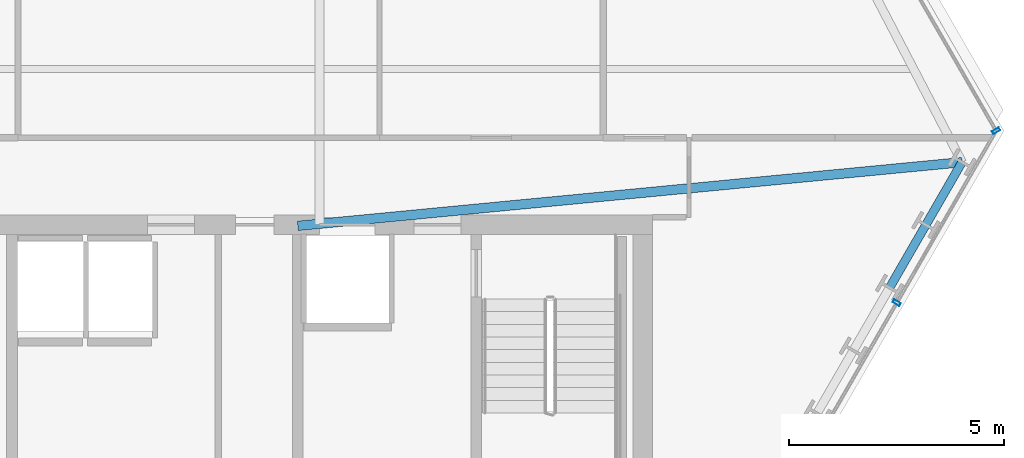
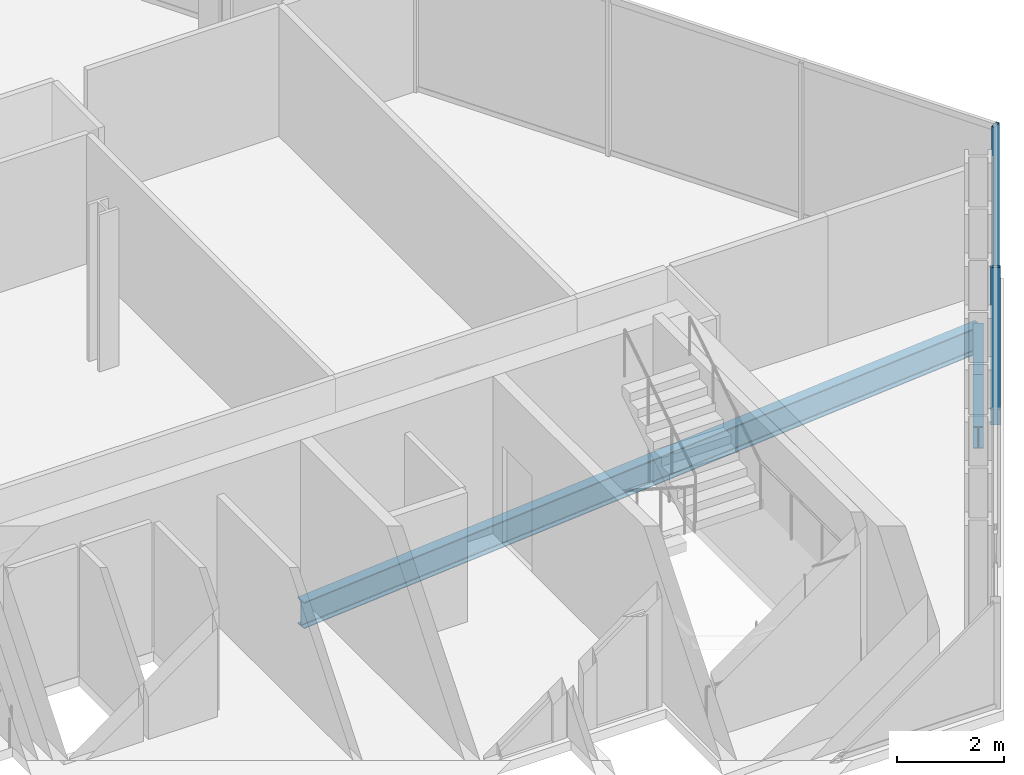
# One storey, part 18 of 32: 3 beams, 2 members, 2 elements without a shape of their own.
"""IFC4 building model written with IfcOpenShell, lengths in metres."""

from ifc_helpers import new_model, si_unit, direction, frame, origin, origin_2d, place, context, subcontext, project, spatial, hollow_rectangle, i_section, extrude, material, layer, layer_set, material_profile, profile_set, type_object, element, aggregate, save


model = new_model("IFC4")

# Units and contexts
model_context = context("Model", 3, precision=1e-05, world=origin(), true_north=direction((0.0, 1.0)))
body_context = subcontext(model_context, "Body", "Model", "MODEL_VIEW")
ifc_project = project(units=[si_unit("LENGTHUNIT", "METRE"), si_unit("AREAUNIT", "SQUARE_METRE"), si_unit("VOLUMEUNIT", "CUBIC_METRE"), si_unit("PLANEANGLEUNIT", "RADIAN"), si_unit("MASSUNIT", "GRAM", prefix="KILO")], contexts=[model_context])

# Site, building, storey
site_placement = place(None, origin())
site = spatial("IfcSite", under=ifc_project, at=site_placement, CompositionType="ELEMENT")
building_placement = place(site_placement, origin())
building = spatial("IfcBuilding", under=site, at=building_placement, Name="Ndaravel Arena Tower", CompositionType="ELEMENT")
storey_placement = place(building_placement, frame((0.0, 0.0, 93.0)))
storey = spatial("IfcBuildingStorey", under=building, at=storey_placement, Name="L21", CompositionType="ELEMENT", Elevation=93.0)

# Beams
ifc_material_1 = material(Name="Steel S355", Category="steel")
ifc_material_profile_1 = material_profile(ifc_material_1, i_section(OverallWidth=0.219970703125, OverallDepth=0.60009765625, WebThickness=0.011962890625, FlangeThickness=0.01904296875, FilletRadius=0.02392578125, at=origin_2d()), Name="IPE 600")
ifc_profile_set_1 = profile_set([ifc_material_profile_1], Name="Steel S355")
beam_type_1 = type_object("IfcBeamType", Name="BM-GIRD-IPE600", PredefinedType="BEAM", material=ifc_profile_set_1)
beam_1_placement = place(storey_placement, frame((64.75, 16.4306640625, -0.52001953125), z_axis=(-0.995438809461, -0.095402183515, 0.0), x_axis=(0.095402183515, -0.995438809461, 0.0)))
element("IfcBeam", 1, at=beam_1_placement, inside=storey, type_object=beam_type_1, Name="L21 Radial Floor Girder FG-09", PredefinedType="BEAM", context=body_context, shape_type="SweptSolid", body=[
    extrude(i_section(OverallWidth=0.219970703125, OverallDepth=0.60009765625, WebThickness=0.011962890625, FlangeThickness=0.01904296875, FilletRadius=0.02392578125, at=origin_2d()), origin(), (0.0, 0.0, 1.0), 15.520751953125),
])
ifc_material_2 = material(Name="Steel S355", Category="steel")
ifc_material_profile_2 = material_profile(ifc_material_2, i_section(OverallWidth=0.199951171875, OverallDepth=0.5, WebThickness=0.01025390625, FlangeThickness=0.01611328125, FilletRadius=0.02099609375, at=origin_2d()), Name="IPE 500")
ifc_profile_set_2 = profile_set([ifc_material_profile_2], Name="Steel S355")
beam_type_2 = type_object("IfcBeamType", Name="BM-SPAN-IPE500", PredefinedType="SPANDREL", material=ifc_profile_set_2)
beam_2_placement = place(storey_placement, frame((63.06396484375, 13.510498046875, -0.469970703125), z_axis=(0.499985669323, 0.866033677446, 0.0), x_axis=(-0.866033677446, 0.499985669323, 0.0)))
element("IfcBeam", 2, at=beam_2_placement, inside=storey, type_object=beam_type_2, Name="L21 Perimeter Spandrel Beam SP-07", PredefinedType="SPANDREL", context=body_context, shape_type="SweptSolid", body=[
    extrude(i_section(OverallWidth=0.199951171875, OverallDepth=0.5, WebThickness=0.01025390625, FlangeThickness=0.01611328125, FilletRadius=0.02099609375, at=origin_2d()), origin(), (0.0, 0.0, 1.0), 1.68603515625),
])
beam_3_placement = place(storey_placement, frame((63.906982421875, 14.970703125, -0.469970703125), z_axis=(0.500048373822, 0.865997473344, 0.0), x_axis=(-0.865997473344, 0.500048373822, 0.0)))
element("IfcBeam", 3, at=beam_3_placement, inside=storey, type_object=beam_type_2, Name="L21 Perimeter Spandrel Beam SP-08", PredefinedType="SPANDREL", context=body_context, shape_type="SweptSolid", body=[
    extrude(i_section(OverallWidth=0.199951171875, OverallDepth=0.5, WebThickness=0.01025390625, FlangeThickness=0.01611328125, FilletRadius=0.02099609375, at=origin_2d()), origin(), (0.0, 0.0, 1.0), 1.685791015625),
])

# Curtain wall, member
ifc_material_3 = material(Name="Aluminium", Category="aluminium")
ifc_layer_1 = layer(ifc_material_3, 0.179931640625)
ifc_layer_set_1 = layer_set([ifc_layer_1], Name="Aluminium")
curtain_wall_type_1 = type_object("IfcCurtainWallType", Name="CW-SYS-01", PredefinedType="NOTDEFINED", material=ifc_layer_set_1)
curtain_wall_1_placement = place(storey_placement, origin())
curtain_wall_1 = element("IfcCurtainWall", 4, at=curtain_wall_1_placement, inside=storey, type_object=curtain_wall_type_1, Name="L21 Faceted Crystal Curtain Wall CW-L21-E02", PredefinedType="NOTDEFINED")
ifc_material_4 = material(Name="Aluminium", Category="aluminium")
ifc_material_profile_3 = material_profile(ifc_material_4, hollow_rectangle(XDim=0.074951171875, YDim=0.179931640625, WallThickness=0.00390625, at=origin_2d()), Name="CW MULLION 75x180x4")
ifc_profile_set_3 = profile_set([ifc_material_profile_3], Name="Aluminium")
member_type = type_object("IfcMemberType", Name="MEM-CW-MUL180", PredefinedType="MULLION", material=ifc_profile_set_3)
member_1_placement = place(storey_placement, frame((63.2314453125, 13.160400390625, 0.0), z_axis=(0.0, 0.0, 1.0), x_axis=(0.5, 0.866025403784, 0.0)))
member_1 = element("IfcMember", 5, at=member_1_placement, type_object=member_type, Name="CW-L21-E02 Mullion 02", PredefinedType="MULLION", context=body_context, shape_type="SweptSolid", body=[
    extrude(hollow_rectangle(XDim=0.074951171875, YDim=0.179931640625, WallThickness=0.00390625, at=origin_2d()), origin(), (0.0, 0.0, 1.0), 3.580078125),
])
aggregate(curtain_wall_1, [member_1])

ifc_material_5 = material(Name="Aluminium", Category="aluminium")
ifc_layer_2 = layer(ifc_material_5, 0.179931640625)
ifc_layer_set_2 = layer_set([ifc_layer_2], Name="Aluminium")
curtain_wall_type_2 = type_object("IfcCurtainWallType", Name="CW-SYS-03", PredefinedType="NOTDEFINED", material=ifc_layer_set_2)
curtain_wall_2_placement = place(storey_placement, origin())
curtain_wall_2 = element("IfcCurtainWall", 6, at=curtain_wall_2_placement, inside=storey, type_object=curtain_wall_type_2, Name="L21 Faceted Crystal Curtain Wall CW-L21-E03", PredefinedType="NOTDEFINED")
member_2_placement = place(storey_placement, frame((65.541015625, 17.16064453125, 0.0), z_axis=(0.0, 0.0, 1.0), x_axis=(-0.5, 0.866025403784, 0.0)))
member_2 = element("IfcMember", 7, at=member_2_placement, type_object=member_type, Name="CW-L21-E03 Mullion 00", PredefinedType="MULLION", context=body_context, shape_type="SweptSolid", body=[
    extrude(hollow_rectangle(XDim=0.074951171875, YDim=0.179931640625, WallThickness=0.00390625, at=origin_2d()), origin(), (0.0, 0.0, 1.0), 3.580078125),
])
aggregate(curtain_wall_2, [member_2])

save(model, "model.ifc")
